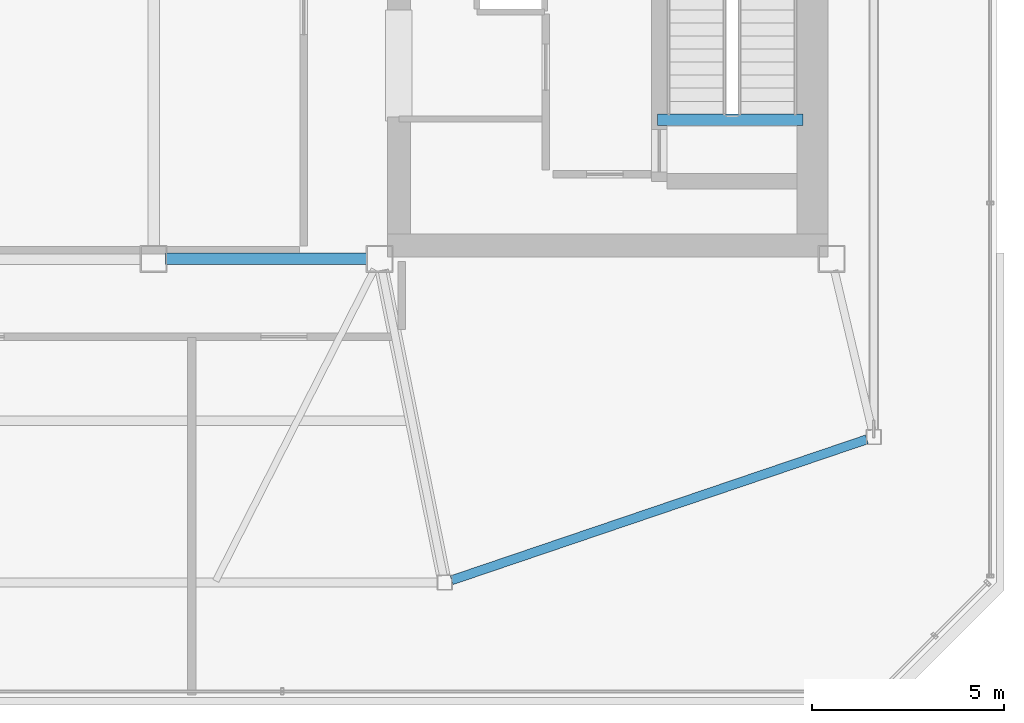
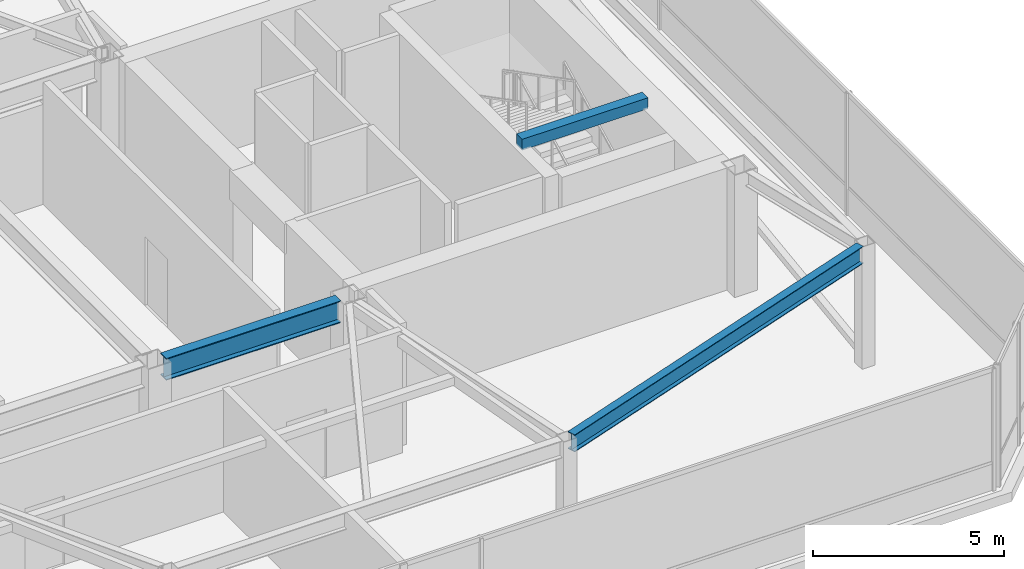
# One storey, part 9 of 21: 3 beams.
"""IFC4 building model written with IfcOpenShell, lengths in metres."""

from ifc_helpers import new_model, si_unit, direction, frame, origin, origin_2d, place, context, subcontext, project, spatial, rectangle, i_section, extrude, material, material_profile, profile_set, type_object, element, save


model = new_model("IFC4")

# Units and contexts
model_context = context("Model", 3, precision=1e-05, world=origin(), true_north=direction((0.0, 1.0)))
body_context = subcontext(model_context, "Body", "Model", "MODEL_VIEW")
ifc_project = project(units=[si_unit("LENGTHUNIT", "METRE"), si_unit("AREAUNIT", "SQUARE_METRE"), si_unit("VOLUMEUNIT", "CUBIC_METRE"), si_unit("PLANEANGLEUNIT", "RADIAN"), si_unit("MASSUNIT", "GRAM", prefix="KILO")], contexts=[model_context])

# Site, building, storey
site_placement = place(None, origin())
site = spatial("IfcSite", under=ifc_project, at=site_placement, CompositionType="ELEMENT")
building_placement = place(site_placement, origin())
building = spatial("IfcBuilding", under=site, at=building_placement, Name="Tavrogorsk Clinical Tower", CompositionType="ELEMENT")
storey_placement = place(building_placement, frame((0.0, 0.0, 348.60009765625)))
storey = spatial("IfcBuildingStorey", under=building, at=storey_placement, Name="L81", CompositionType="ELEMENT", Elevation=348.60009765625)

# Beams
ifc_material_1 = material(Name="Structural steel S390", Category="steel")
ifc_material_profile_1 = material_profile(ifc_material_1, i_section(OverallWidth=0.300048828125, OverallDepth=0.699951171875, WebThickness=0.01708984375, FlangeThickness=0.028076171875, at=origin_2d()), Name="B-700x300x17x28")
ifc_profile_set_1 = profile_set([ifc_material_profile_1], Name="Structural steel S390")
beam_type_1 = type_object("IfcBeamType", Name="PrimaryGirder_B700", PredefinedType="USERDEFINED", material=ifc_profile_set_1)
beam_1_placement = place(storey_placement, frame((4.7099609375, -6.35009765625, 3.5498046875), z_axis=(1.0, 0.0, 0.0), x_axis=(0.0, 1.0, 0.0)))
element("IfcBeam", 1, at=beam_1_placement, inside=storey, type_object=beam_type_1, Name="L81 Primary Spine Girder MG-05", ObjectType="GIRDER", PredefinedType="USERDEFINED", context=body_context, shape_type="SweptSolid", body=[
    extrude(i_section(OverallWidth=0.300048828125, OverallDepth=0.699951171875, WebThickness=0.01708984375, FlangeThickness=0.028076171875, at=origin_2d()), origin(), (0.0, 0.0, 1.0), 5.280029296875),
])
ifc_material_2 = material(Name="Structural steel S390", Category="steel")
ifc_material_profile_2 = material_profile(ifc_material_2, i_section(OverallWidth=0.239990234375, OverallDepth=0.550048828125, WebThickness=0.013916015625, FlangeThickness=0.02197265625, at=origin_2d()), Name="B-550x240x14x22")
ifc_profile_set_2 = profile_set([ifc_material_profile_2], Name="Structural steel S390")
beam_type_2 = type_object("IfcBeamType", Name="SpandrelBeam_B550", PredefinedType="SPANDREL", material=ifc_profile_set_2)
beam_2_placement = place(storey_placement, frame((12.179931640625, -14.739013671875, 3.625), z_axis=(0.946976266831, 0.321303517034, 0.0), x_axis=(-0.321303517034, 0.946976266831, 0.0)))
element("IfcBeam", 2, at=beam_2_placement, inside=storey, type_object=beam_type_2, Name="L81 Crown Spandrel Beam 03", PredefinedType="SPANDREL", context=body_context, shape_type="SweptSolid", body=[
    extrude(i_section(OverallWidth=0.239990234375, OverallDepth=0.550048828125, WebThickness=0.013916015625, FlangeThickness=0.02197265625, at=origin_2d()), origin(), (0.0, 0.0, 1.0), 11.447021484375),
])
ifc_material_3 = material(Name="Concrete B60", Category="concrete")
ifc_material_profile_3 = material_profile(ifc_material_3, rectangle(XDim=0.300048828125, YDim=0.35009765625, at=origin_2d()), Name="RC-SHB-300x350")
ifc_profile_set_3 = profile_set([ifc_material_profile_3], Name="Concrete B60")
beam_type_3 = type_object("IfcBeamType", Name="StairHeaderBeam_RC300x350", PredefinedType="BEAM", material=ifc_profile_set_3)
beam_3_placement = place(storey_placement, frame((17.550048828125, -2.719970703125, 4.02490234375), z_axis=(1.0, 0.0, 0.0), x_axis=(0.0, 1.0, 0.0)))
element("IfcBeam", 3, at=beam_3_placement, inside=storey, type_object=beam_type_3, Name="L82 ST-E Landing Header Beam", PredefinedType="BEAM", context=body_context, shape_type="SweptSolid", body=[
    extrude(rectangle(XDim=0.300048828125, YDim=0.35009765625, at=origin_2d()), origin(), (0.0, 0.0, 1.0), 3.800048828125),
])

save(model, "model.ifc")
